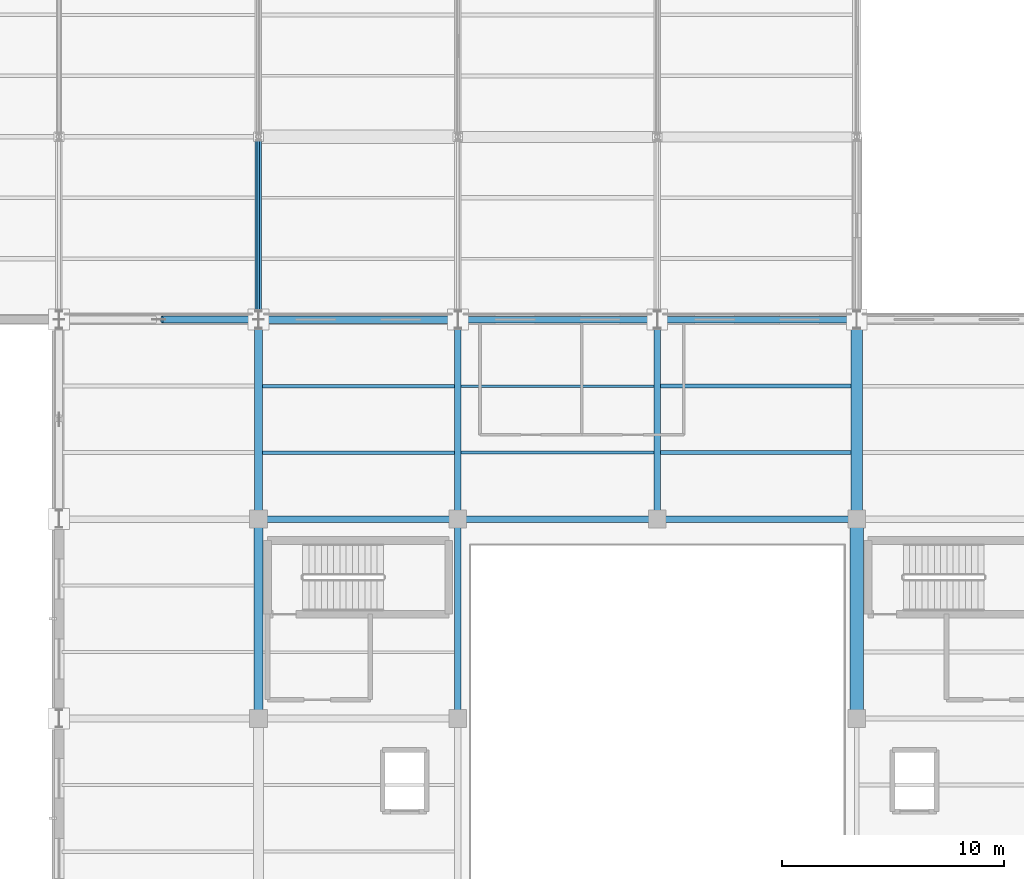
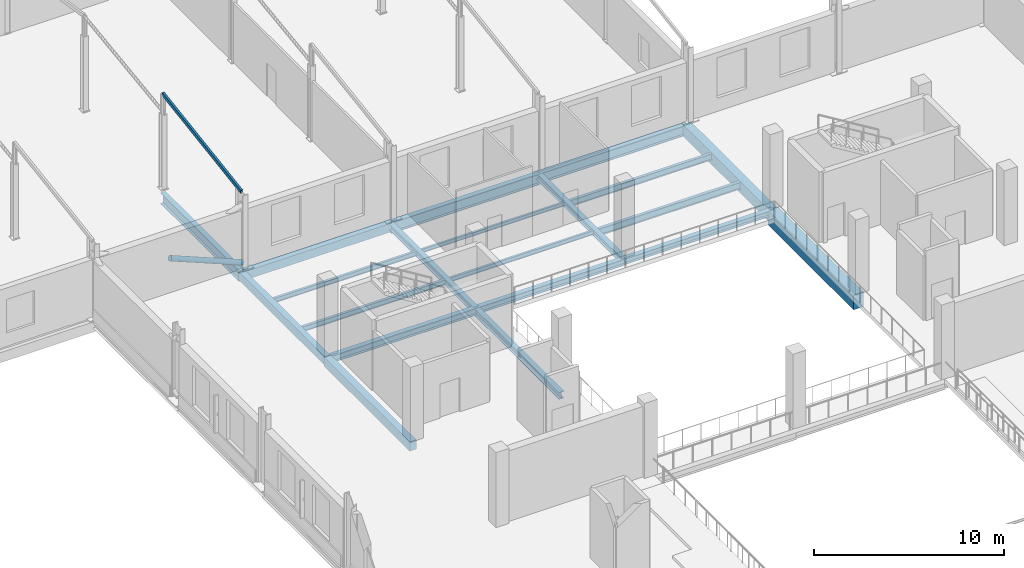
# One storey, part 14 of 54: 20 beams, 2 members.
"""IFC4 building model written with IfcOpenShell, lengths in metres."""

import ifcopenshell
import ifcopenshell.guid

model = None  # the IFC model being written
_history = None  # IfcOwnerHistory: only IFC2X3 demands one
_inside = {}  # id of a spatial element -> (the spatial element, [elements in it])
_under = {}  # id of a project, library or spatial element -> (it, [spatial elements below it])
_declared = {}  # id of a project -> (the project, [libraries it declares])
_typed = {}  # id of a type object -> (the type object, [elements of that type])
_made_of = {}  # id of a material, layer set ... -> (it, [elements and type objects made of it])


def new_model(schema):
    """Start an empty IFC model of exactly this schema.

    Asked for "IFC4X3", IfcOpenShell would pick the latest addendum, in which some entities
    have other attributes; the version numbers below select the first issue.
    IFC2X3 requires an IfcOwnerHistory on every rooted entity: one is made here for all.
    """
    global model, _history
    if schema == "IFC4X3":
        model = ifcopenshell.file(schema_version=(4, 3, 0, 0))
    else:
        model = ifcopenshell.file(schema=schema)
    _inside.clear()
    _under.clear()
    _declared.clear()
    _typed.clear()
    _made_of.clear()
    _history = None
    if model.schema == "IFC2X3":
        org = make("IfcOrganization", Name="unknown")
        user = make(
            "IfcPersonAndOrganization",
            ThePerson=make("IfcPerson", FamilyName="unknown"),
            TheOrganization=org,
        )
        app = make(
            "IfcApplication",
            ApplicationDeveloper=org,
            Version="unknown",
            ApplicationFullName="unknown",
            ApplicationIdentifier="unknown",
        )
        _history = make(
            "IfcOwnerHistory",
            OwningUser=user,
            OwningApplication=app,
            ChangeAction="ADDED",
            CreationDate=0,
        )
    return model


def make(cls, **values):
    """One entity of the class cls with the attributes given. An attribute that is None is left unset."""
    return model.create_entity(
        cls, **{name: value for name, value in values.items() if value is not None}
    )


def rooted(cls, **values):
    """An entity with a GlobalId (a new one), such as an element, a storey or a relation."""
    return make(cls, GlobalId=ifcopenshell.guid.new(), OwnerHistory=_history, **values)


def si_unit(unit_type, name, prefix=None):
    """IfcSIUnit, for example si_unit("LENGTHUNIT", "METRE", prefix="MILLI")."""
    return make("IfcSIUnit", UnitType=unit_type, Prefix=prefix, Name=name)


def assignment(units):
    """IfcUnitAssignment: the units of a project."""
    return None if units is None else make("IfcUnitAssignment", Units=units)


def point(xyz):
    """IfcCartesianPoint."""
    return None if xyz is None else make("IfcCartesianPoint", Coordinates=xyz)


def direction(xyz):
    """IfcDirection."""
    return None if xyz is None else make("IfcDirection", DirectionRatios=xyz)


def frame(location, z_axis=None, x_axis=None):
    """IfcAxis2Placement3D, a coordinate frame: its origin and axes. An axis left out is left unset."""
    return make(
        "IfcAxis2Placement3D",
        Location=point(location),
        Axis=direction(z_axis),
        RefDirection=direction(x_axis),
    )


def frame_2d(location, x_axis=None):
    """IfcAxis2Placement2D, a coordinate frame in the plane: its origin and x axis."""
    return make(
        "IfcAxis2Placement2D", Location=point(location), RefDirection=direction(x_axis)
    )


def origin():
    """The frame at (0, 0, 0) with its axes left unset."""
    return frame((0.0, 0.0, 0.0))


def origin_2d():
    """The frame at (0, 0) in the plane with its x axis left unset."""
    return frame_2d((0.0, 0.0))


def place(relative_to, where):
    """IfcLocalPlacement: puts the frame where relative to a parent placement (None: the world)."""
    return make(
        "IfcLocalPlacement", PlacementRelTo=relative_to, RelativePlacement=where
    )


def context(
    kind, dimensions, precision=None, world=None, true_north=None, identifier=None
):
    """IfcGeometricRepresentationContext, for example the 3D "Model" context."""
    return make(
        "IfcGeometricRepresentationContext",
        ContextIdentifier=identifier,
        ContextType=kind,
        CoordinateSpaceDimension=dimensions,
        Precision=precision,
        WorldCoordinateSystem=world,
        TrueNorth=true_north,
    )


def subcontext(parent, identifier, kind, view, scale=None):
    """IfcGeometricRepresentationSubContext, for example "Body" below "Model"."""
    return make(
        "IfcGeometricRepresentationSubContext",
        ContextIdentifier=identifier,
        ContextType=kind,
        ParentContext=parent,
        TargetScale=scale,
        TargetView=view,
    )


def project(units=None, contexts=None):
    """IfcProject with its units and contexts."""
    return rooted(
        "IfcProject",
        Name="project",
        RepresentationContexts=contexts,
        UnitsInContext=assignment(units),
    )


def spatial(cls, under=None, at=None, **own):
    """A site, building, storey or space (cls), placed at a placement, below another one or the project."""
    s = rooted(cls, ObjectPlacement=at, **own)
    if under is not None:
        _under.setdefault(under.id(), (under, []))[1].append(s)
    return s


def profile(cls, at=None, kind="AREA", **sizes):
    """A parametric profile (cls). Its sizes go by their IFC names, for example OverallWidth=200.0."""
    return make(cls, ProfileType=kind, Position=at, **sizes)


def rectangle(**sizes):
    """IfcRectangleProfileDef."""
    return profile("IfcRectangleProfileDef", **sizes)


def hollow_rectangle(**sizes):
    """IfcRectangleHollowProfileDef."""
    return profile("IfcRectangleHollowProfileDef", **sizes)


def hollow_circle(**sizes):
    """IfcCircleHollowProfileDef."""
    return profile("IfcCircleHollowProfileDef", **sizes)


def i_section(**sizes):
    """IfcIShapeProfileDef."""
    return profile("IfcIShapeProfileDef", **sizes)


def extrude(swept, where, along, depth):
    """IfcExtrudedAreaSolid: the profile swept, set in the frame where, extruded along a direction by depth."""
    return make(
        "IfcExtrudedAreaSolid",
        SweptArea=swept,
        Position=where,
        ExtrudedDirection=direction(along),
        Depth=depth,
    )


def shape(context_of_items, identifier, shape_type, items):
    """IfcShapeRepresentation: the items that make up one representation, for example the "Body"."""
    return make(
        "IfcShapeRepresentation",
        ContextOfItems=context_of_items,
        RepresentationIdentifier=identifier,
        RepresentationType=shape_type,
        Items=items,
    )


def material(Name=None, Category=None):
    """IfcMaterial."""
    return make("IfcMaterial", Name=Name, Category=Category)


def material_profile(
    of_material, cross_section, Name=None, Category=None, Priority=None
):
    """IfcMaterialProfile: a cross section and its material."""
    return make(
        "IfcMaterialProfile",
        Name=Name,
        Material=of_material,
        Profile=cross_section,
        Priority=Priority,
        Category=Category,
    )


def profile_set(profiles, Name=None, composite=None):
    """IfcMaterialProfileSet."""
    return make(
        "IfcMaterialProfileSet",
        Name=Name,
        MaterialProfiles=profiles,
        CompositeProfile=composite,
    )


def made_of(thing, what):
    """Note that an element or type object is made of a material, layer set ...; save() writes the relation."""
    if what is not None:
        _made_of.setdefault(what.id(), (what, []))[1].append(thing)
    return thing


def type_object(cls, material=None, **own):
    """A type object (cls), such as IfcWallType, which elements share."""
    return made_of(rooted(cls, **own), material)


def element(
    cls,
    number,
    at=None,
    inside=None,
    cuts=None,
    type_object=None,
    material=None,
    context=None,
    identifier="Body",
    shape_type=None,
    held_by="IfcProductDefinitionShape",
    body=None,
    shapes=None,
    **own,
):
    """One element of the class cls, such as IfcWall. Its Tag is "e" and its number.

    at: its placement. inside: the storey or other place that contains it. cuts: it is an
    opening in that element (IfcRelVoidsElement). A single representation is given by context,
    identifier, shape_type and body (its items); several are given by shapes. held_by: the class
    of the entity that holds the representations. save() writes the other relations.
    """
    e = rooted(cls, Tag="e%d" % number, ObjectPlacement=at, **own)
    if body is not None:
        shapes = [shape(context, identifier, shape_type, body)]
    if shapes is not None:
        e.Representation = make(held_by, Representations=shapes)
    if inside is not None:
        _inside.setdefault(inside.id(), (inside, []))[1].append(e)
    if cuts is not None:
        rooted(
            "IfcRelVoidsElement", RelatingBuildingElement=cuts, RelatedOpeningElement=e
        )
    if type_object is not None:
        _typed.setdefault(type_object.id(), (type_object, []))[1].append(e)
    return made_of(e, material)


def aggregate(whole, parts):
    """IfcRelAggregates: a whole, such as a stair, and the parts it consists of."""
    return rooted("IfcRelAggregates", RelatingObject=whole, RelatedObjects=parts)


def save(model, path):
    """Write the relations noted so far, then the file.

    IfcRelAggregates (storeys below a building ...), IfcRelContainedInSpatialStructure (elements
    in a storey), IfcRelDefinesByType, IfcRelAssociatesMaterial and IfcRelDeclares: one each for
    every whole, place, type object, material and project.
    """
    for whole, parts in _under.values():
        aggregate(whole, parts)
    for where, things in _inside.values():
        rooted(
            "IfcRelContainedInSpatialStructure",
            RelatedElements=things,
            RelatingStructure=where,
        )
    for kind, things in _typed.values():
        rooted("IfcRelDefinesByType", RelatedObjects=things, RelatingType=kind)
    for what, things in _made_of.values():
        rooted("IfcRelAssociatesMaterial", RelatedObjects=things, RelatingMaterial=what)
    for by, libraries in _declared.values():
        rooted("IfcRelDeclares", RelatingContext=by, RelatedDefinitions=libraries)
    model.write(path)


model = new_model("IFC4")

# Units and contexts
model_context = context("Model", 3, precision=1e-05, world=origin(), true_north=direction((0.0, 1.0)))
body_context = subcontext(model_context, "Body", "Model", "MODEL_VIEW")
ifc_project = project(units=[si_unit("LENGTHUNIT", "METRE"), si_unit("AREAUNIT", "SQUARE_METRE"), si_unit("VOLUMEUNIT", "CUBIC_METRE"), si_unit("PLANEANGLEUNIT", "RADIAN"), si_unit("MASSUNIT", "GRAM", prefix="KILO")], contexts=[model_context])

# Site, building, storey
site_placement = place(None, origin())
site = spatial("IfcSite", under=ifc_project, at=site_placement, CompositionType="ELEMENT")
building_placement = place(site_placement, origin())
building = spatial("IfcBuilding", under=site, at=building_placement, Name="Sundgate Opera House", CompositionType="ELEMENT")
storey_placement = place(building_placement, frame((0.0, 0.0, 16.800048828125)))
storey = spatial("IfcBuildingStorey", under=building, at=storey_placement, Name="L03", CompositionType="ELEMENT", Elevation=16.800048828125)

# Beams
ifc_material_1 = material(Name="Steel S355J2", Category="steel")
ifc_material_profile_1 = material_profile(ifc_material_1, i_section(OverallWidth=0.300048828125, OverallDepth=0.389892578125, WebThickness=0.010986328125, FlangeThickness=0.01904296875, at=origin_2d()), Name="HEA 400")
ifc_profile_set_1 = profile_set([ifc_material_profile_1], Name="Steel S355J2")
beam_type_1 = type_object("IfcBeamType", Name="BM-GR-HEA400", PredefinedType="BEAM", material=ifc_profile_set_1)
beam_1_placement = place(storey_placement, frame((54.0, 78.0, -0.47509765625), z_axis=(0.0, 1.0, 0.0), x_axis=(-1.0, 0.0, 0.0)))
element("IfcBeam", 1, at=beam_1_placement, inside=storey, type_object=beam_type_1, Name="L03 Primary N-S Girder B2488", PredefinedType="BEAM", context=body_context, shape_type="SweptSolid", body=[
    extrude(i_section(OverallWidth=0.300048828125, OverallDepth=0.389892578125, WebThickness=0.010986328125, FlangeThickness=0.01904296875, at=origin_2d()), origin(), (0.0, 0.0, 1.0), 9.0),
])
ifc_material_2 = material(Name="Steel S355J2", Category="steel")
ifc_material_profile_2 = material_profile(ifc_material_2, i_section(OverallWidth=0.300048828125, OverallDepth=0.360107421875, WebThickness=0.012451171875, FlangeThickness=0.0224609375, at=origin_2d()), Name="HEB 360")
ifc_profile_set_2 = profile_set([ifc_material_profile_2], Name="Steel S355J2")
beam_type_2 = type_object("IfcBeamType", Name="BM-GR-HEB360", PredefinedType="BEAM", material=ifc_profile_set_2)
beam_2_placement = place(storey_placement, frame((54.0, 78.0, -0.4599609375), z_axis=(1.0, 0.0, 0.0), x_axis=(0.0, 1.0, 0.0)))
element("IfcBeam", 2, at=beam_2_placement, inside=storey, type_object=beam_type_2, Name="L03 Primary E-W Girder B2638", PredefinedType="BEAM", context=body_context, shape_type="SweptSolid", body=[
    extrude(i_section(OverallWidth=0.300048828125, OverallDepth=0.360107421875, WebThickness=0.012451171875, FlangeThickness=0.0224609375, at=origin_2d()), origin(), (0.0, 0.0, 1.0), 9.0),
])
ifc_material_3 = material(Name="Steel S355J2", Category="steel")
ifc_material_profile_3 = material_profile(ifc_material_3, i_section(OverallWidth=0.300048828125, OverallDepth=0.39990234375, WebThickness=0.013427734375, FlangeThickness=0.02392578125, at=origin_2d()), Name="HEB 400")
ifc_profile_set_3 = profile_set([ifc_material_profile_3], Name="Steel S355J2")
beam_type_3 = type_object("IfcBeamType", Name="BM-GR-HEB400", PredefinedType="BEAM", material=ifc_profile_set_3)
for number, where, z_axis, x_axis, name in (
    (3, (45.0, 78.0, -0.47998046875), (0.0, 1.0, 0.0), (-1.0, 0.0, 0.0), "L03 Primary N-S Girder B2483"),
    (4, (45.0, 78.0, -0.47998046875), (1.0, 0.0, 0.0), (0.0, 1.0, 0.0), "L03 Primary E-W Girder B2637"),
):
    element("IfcBeam", number, at=place(storey_placement, frame(where, z_axis=z_axis, x_axis=x_axis)), inside=storey, type_object=beam_type_3, Name=name, PredefinedType="BEAM", context=body_context, shape_type="SweptSolid", body=[
        extrude(i_section(OverallWidth=0.300048828125, OverallDepth=0.39990234375, WebThickness=0.013427734375, FlangeThickness=0.02392578125, at=origin_2d()), origin(), (0.0, 0.0, 1.0), 9.0),
    ])
ifc_material_4 = material(Name="Steel S355J2", Category="steel")
ifc_material_profile_4 = material_profile(ifc_material_4, i_section(OverallWidth=0.300048828125, OverallDepth=0.449951171875, WebThickness=0.013916015625, FlangeThickness=0.02587890625, at=origin_2d()), Name="HEB 450")
ifc_profile_set_4 = profile_set([ifc_material_profile_4], Name="Steel S355J2")
beam_type_4 = type_object("IfcBeamType", Name="BM-GR-HEB450", PredefinedType="BEAM", material=ifc_profile_set_4)
for number, where, z_axis, x_axis, name in (
    (5, (45.0, 69.0, -0.505126953125), (0.0, 1.0, 0.0), (-1.0, 0.0, 0.0), "L03 Primary N-S Girder B2482"),
    (6, (36.0, 78.0, -0.505126953125), (1.0, 0.0, 0.0), (0.0, 1.0, 0.0), "L03 Primary E-W Girder B2636"),
):
    element("IfcBeam", number, at=place(storey_placement, frame(where, z_axis=z_axis, x_axis=x_axis)), inside=storey, type_object=beam_type_4, Name=name, PredefinedType="BEAM", context=body_context, shape_type="SweptSolid", body=[
        extrude(i_section(OverallWidth=0.300048828125, OverallDepth=0.449951171875, WebThickness=0.013916015625, FlangeThickness=0.02587890625, at=origin_2d()), origin(), (0.0, 0.0, 1.0), 9.0),
    ])
ifc_material_5 = material(Name="Steel S355J2", Category="steel")
ifc_material_profile_5 = material_profile(ifc_material_5, i_section(OverallWidth=0.300048828125, OverallDepth=0.64990234375, WebThickness=0.01611328125, FlangeThickness=0.031005859375, at=origin_2d()), Name="HEB 650")
ifc_profile_set_5 = profile_set([ifc_material_profile_5], Name="Steel S355J2")
beam_type_5 = type_object("IfcBeamType", Name="BM-GR-HEB650", PredefinedType="BEAM", material=ifc_profile_set_5)
beam_3_placement = place(storey_placement, frame((54.0, 87.0, -0.60498046875), z_axis=(1.0, 0.0, 0.0), x_axis=(0.0, 1.0, 0.0)))
element("IfcBeam", 7, at=beam_3_placement, inside=storey, type_object=beam_type_5, Name="L03 Primary E-W Girder B2654", PredefinedType="BEAM", context=body_context, shape_type="SweptSolid", body=[
    extrude(i_section(OverallWidth=0.300048828125, OverallDepth=0.64990234375, WebThickness=0.01611328125, FlangeThickness=0.031005859375, at=origin_2d()), origin(), (0.0, 0.0, 1.0), 9.0),
])
ifc_material_6 = material(Name="Steel S355J2", Category="steel")
ifc_material_profile_6 = material_profile(ifc_material_6, i_section(OverallWidth=0.300048828125, OverallDepth=0.699951171875, WebThickness=0.01708984375, FlangeThickness=0.031982421875, at=origin_2d()), Name="HEB 700")
ifc_profile_set_6 = profile_set([ifc_material_profile_6], Name="Steel S355J2")
beam_type_6 = type_object("IfcBeamType", Name="BM-GR-HEB700", PredefinedType="BEAM", material=ifc_profile_set_6)
beam_4_placement = place(storey_placement, frame((36.0, 87.0, -0.590087890625), z_axis=(0.0, 1.0, 0.0), x_axis=(-1.0, 0.0, 0.0)))
element("IfcBeam", 8, at=beam_4_placement, inside=storey, type_object=beam_type_6, Name="L03 Primary N-S Girder B2477", PredefinedType="BEAM", context=body_context, shape_type="SweptSolid", body=[
    extrude(i_section(OverallWidth=0.300048828125, OverallDepth=0.699951171875, WebThickness=0.01708984375, FlangeThickness=0.031982421875, at=origin_2d()), origin(), (0.0, 0.0, 1.0), 8.25),
])
beam_5_placement = place(storey_placement, frame((45.0, 87.0, -0.630126953125), z_axis=(1.0, 0.0, 0.0), x_axis=(0.0, 1.0, 0.0)))
element("IfcBeam", 9, at=beam_5_placement, inside=storey, type_object=beam_type_6, Name="L03 Primary E-W Girder B2653", PredefinedType="BEAM", context=body_context, shape_type="SweptSolid", body=[
    extrude(i_section(OverallWidth=0.300048828125, OverallDepth=0.699951171875, WebThickness=0.01708984375, FlangeThickness=0.031982421875, at=origin_2d()), origin(), (0.0, 0.0, 1.0), 9.0),
])
ifc_material_7 = material(Name="Steel S355J2", Category="steel")
ifc_material_profile_7 = material_profile(ifc_material_7, i_section(OverallWidth=0.1201171875, OverallDepth=0.239990234375, WebThickness=0.006103515625, FlangeThickness=0.009765625, at=origin_2d()), Name="IPE 240")
ifc_profile_set_7 = profile_set([ifc_material_profile_7], Name="Steel S355J2")
beam_type_7 = type_object("IfcBeamType", Name="BM-JS-IPE240", PredefinedType="JOIST", material=ifc_profile_set_7)
beam_6_placement = place(storey_placement, frame((45.14990234375, 84.0, -0.400146484375), z_axis=(1.0, 0.0, 0.0), x_axis=(0.0, 1.0, 0.0)))
element("IfcBeam", 10, at=beam_6_placement, inside=storey, type_object=beam_type_7, Name="L03 Secondary Floor Joist B2789", PredefinedType="JOIST", context=body_context, shape_type="SweptSolid", body=[
    extrude(i_section(OverallWidth=0.1201171875, OverallDepth=0.239990234375, WebThickness=0.006103515625, FlangeThickness=0.009765625, at=origin_2d()), origin(), (0.0, 0.0, 1.0), 8.7001953125),
])
ifc_material_8 = material(Name="Steel S355J2", Category="steel")
ifc_material_profile_8 = material_profile(ifc_material_8, i_section(OverallWidth=0.135009765625, OverallDepth=0.27001953125, WebThickness=0.006591796875, FlangeThickness=0.01025390625, at=origin_2d()), Name="IPE 270")
ifc_profile_set_8 = profile_set([ifc_material_profile_8], Name="Steel S355J2")
beam_type_8 = type_object("IfcBeamType", Name="BM-JS-IPE270", PredefinedType="JOIST", material=ifc_profile_set_8)
beam_7_placement = place(storey_placement, frame((45.14990234375, 81.0, -0.4150390625), z_axis=(1.0, 0.0, 0.0), x_axis=(0.0, 1.0, 0.0)))
element("IfcBeam", 11, at=beam_7_placement, inside=storey, type_object=beam_type_8, Name="L03 Secondary Floor Joist B2788", PredefinedType="JOIST", context=body_context, shape_type="SweptSolid", body=[
    extrude(i_section(OverallWidth=0.135009765625, OverallDepth=0.27001953125, WebThickness=0.006591796875, FlangeThickness=0.01025390625, at=origin_2d()), origin(), (0.0, 0.0, 1.0), 8.7001953125),
])
ifc_material_9 = material(Name="Steel S355J2", Category="steel")
ifc_material_profile_9 = material_profile(ifc_material_9, i_section(OverallWidth=0.14990234375, OverallDepth=0.300048828125, WebThickness=0.007080078125, FlangeThickness=0.0107421875, at=origin_2d()), Name="IPE 300")
ifc_profile_set_9 = profile_set([ifc_material_profile_9], Name="Steel S355J2")
beam_type_9 = type_object("IfcBeamType", Name="BM-JS-IPE300", PredefinedType="JOIST", material=ifc_profile_set_9)
beam_8_placement = place(storey_placement, frame((36.175048828125, 84.0, -0.429931640625), z_axis=(1.0, 0.0, 0.0), x_axis=(0.0, 1.0, 0.0)))
element("IfcBeam", 12, at=beam_8_placement, inside=storey, type_object=beam_type_9, Name="L03 Secondary Floor Joist B2787", PredefinedType="JOIST", context=body_context, shape_type="SweptSolid", body=[
    extrude(i_section(OverallWidth=0.14990234375, OverallDepth=0.300048828125, WebThickness=0.007080078125, FlangeThickness=0.0107421875, at=origin_2d()), origin(), (0.0, 0.0, 1.0), 8.675048828125),
])
ifc_material_10 = material(Name="Steel S355J2", Category="steel")
ifc_material_profile_10 = material_profile(ifc_material_10, i_section(OverallWidth=0.159912109375, OverallDepth=0.330078125, WebThickness=0.007568359375, FlangeThickness=0.011474609375, at=origin_2d()), Name="IPE 330")
ifc_profile_set_10 = profile_set([ifc_material_profile_10], Name="Steel S355J2")
beam_type_10 = type_object("IfcBeamType", Name="BM-JS-IPE330", PredefinedType="JOIST", material=ifc_profile_set_10)
beam_9_placement = place(storey_placement, frame((36.175048828125, 81.0, -0.445068359375), z_axis=(1.0, 0.0, 0.0), x_axis=(0.0, 1.0, 0.0)))
element("IfcBeam", 13, at=beam_9_placement, inside=storey, type_object=beam_type_10, Name="L03 Secondary Floor Joist B2786", PredefinedType="JOIST", context=body_context, shape_type="SweptSolid", body=[
    extrude(i_section(OverallWidth=0.159912109375, OverallDepth=0.330078125, WebThickness=0.007568359375, FlangeThickness=0.011474609375, at=origin_2d()), origin(), (0.0, 0.0, 1.0), 8.675048828125),
])
ifc_material_11 = material(Name="Steel S355J2", Category="steel")
ifc_material_profile_11 = material_profile(ifc_material_11, i_section(OverallWidth=0.179931640625, OverallDepth=0.39990234375, WebThickness=0.008544921875, FlangeThickness=0.013427734375, at=origin_2d()), Name="IPE 400")
ifc_profile_set_11 = profile_set([ifc_material_profile_11], Name="Steel S355J2")
beam_type_11 = type_object("IfcBeamType", Name="BM-JS-IPE400", PredefinedType="JOIST", material=ifc_profile_set_11)
beam_10_placement = place(storey_placement, frame((54.14990234375, 84.0, -0.47998046875), z_axis=(1.0, 0.0, 0.0), x_axis=(0.0, 1.0, 0.0)))
element("IfcBeam", 14, at=beam_10_placement, inside=storey, type_object=beam_type_11, Name="L03 Secondary Floor Joist B2791", PredefinedType="JOIST", context=body_context, shape_type="SweptSolid", body=[
    extrude(i_section(OverallWidth=0.179931640625, OverallDepth=0.39990234375, WebThickness=0.008544921875, FlangeThickness=0.013427734375, at=origin_2d()), origin(), (0.0, 0.0, 1.0), 8.60009765625),
])
ifc_material_12 = material(Name="Steel S355J2", Category="steel")
ifc_material_profile_12 = material_profile(ifc_material_12, i_section(OverallWidth=0.18994140625, OverallDepth=0.449951171875, WebThickness=0.009521484375, FlangeThickness=0.0146484375, at=origin_2d()), Name="IPE 450")
ifc_profile_set_12 = profile_set([ifc_material_profile_12], Name="Steel S355J2")
beam_type_12 = type_object("IfcBeamType", Name="BM-JS-IPE450", PredefinedType="JOIST", material=ifc_profile_set_12)
beam_11_placement = place(storey_placement, frame((54.14990234375, 81.0, -0.505126953125), z_axis=(1.0, 0.0, 0.0), x_axis=(0.0, 1.0, 0.0)))
element("IfcBeam", 15, at=beam_11_placement, inside=storey, type_object=beam_type_12, Name="L03 Secondary Floor Joist B2790", PredefinedType="JOIST", context=body_context, shape_type="SweptSolid", body=[
    extrude(i_section(OverallWidth=0.18994140625, OverallDepth=0.449951171875, WebThickness=0.009521484375, FlangeThickness=0.0146484375, at=origin_2d()), origin(), (0.0, 0.0, 1.0), 8.60009765625),
])
ifc_material_13 = material(Name="Concrete C35/45", Category="concrete")
ifc_material_profile_13 = material_profile(ifc_material_13, rectangle(XDim=0.35009765625, YDim=0.550048828125, at=origin_2d()), Name="RC 350x550")
ifc_profile_set_13 = profile_set([ifc_material_profile_13], Name="Concrete C35/45")
beam_type_13 = type_object("IfcBeamType", Name="BM-RC-350x550", PredefinedType="BEAM", material=ifc_profile_set_13)
for number, where, z_axis, x_axis, name in (
    (16, (36.0, 78.0, -0.554931640625), (0.0, 1.0, 0.0), (-1.0, 0.0, 0.0), "L03 Primary N-S Girder B2476"),
    (17, (36.0, 87.0, -0.554931640625), (1.0, 0.0, 0.0), (0.0, 1.0, 0.0), "L03 Primary E-W Girder B2652"),
):
    element("IfcBeam", number, at=place(storey_placement, frame(where, z_axis=z_axis, x_axis=x_axis)), inside=storey, type_object=beam_type_13, Name=name, PredefinedType="BEAM", context=body_context, shape_type="SweptSolid", body=[
        extrude(rectangle(XDim=0.35009765625, YDim=0.550048828125, at=origin_2d()), origin(), (0.0, 0.0, 1.0), 9.0),
    ])
ifc_material_14 = material(Name="Concrete C35/45", Category="concrete")
ifc_material_profile_14 = material_profile(ifc_material_14, rectangle(XDim=0.39990234375, YDim=0.60009765625, at=origin_2d()), Name="RC 400x600")
ifc_profile_set_14 = profile_set([ifc_material_profile_14], Name="Concrete C35/45")
beam_type_14 = type_object("IfcBeamType", Name="BM-RC-400x600", PredefinedType="BEAM", material=ifc_profile_set_14)
beam_12_placement = place(storey_placement, frame((36.0, 69.0, -0.580078125), z_axis=(0.0, 1.0, 0.0), x_axis=(-1.0, 0.0, 0.0)))
element("IfcBeam", 18, at=beam_12_placement, inside=storey, type_object=beam_type_14, Name="L03 Primary N-S Girder B2475", PredefinedType="BEAM", context=body_context, shape_type="SweptSolid", body=[
    extrude(rectangle(XDim=0.39990234375, YDim=0.60009765625, at=origin_2d()), origin(), (0.0, 0.0, 1.0), 9.0),
])
ifc_material_15 = material(Name="Concrete C40/50", Category="concrete")
ifc_material_profile_15 = material_profile(ifc_material_15, rectangle(XDim=0.5, YDim=0.75, at=origin_2d()), Name="RC 500x750")
ifc_profile_set_15 = profile_set([ifc_material_profile_15], Name="Concrete C40/50")
beam_type_15 = type_object("IfcBeamType", Name="BM-RC-500x750", PredefinedType="BEAM", material=ifc_profile_set_15)
beam_13_placement = place(storey_placement, frame((63.0, 78.0, -0.655029296875), z_axis=(0.0, 1.0, 0.0), x_axis=(-1.0, 0.0, 0.0)))
element("IfcBeam", 19, at=beam_13_placement, inside=storey, type_object=beam_type_15, Name="L03 Primary N-S Girder B2495", PredefinedType="BEAM", context=body_context, shape_type="SweptSolid", body=[
    extrude(rectangle(XDim=0.5, YDim=0.75, at=origin_2d()), origin(), (0.0, 0.0, 1.0), 9.0),
])
ifc_material_16 = material(Name="Concrete C40/50", Category="concrete")
ifc_material_profile_16 = material_profile(ifc_material_16, rectangle(XDim=0.60009765625, YDim=0.949951171875, at=origin_2d()), Name="RC 600x950")
ifc_profile_set_16 = profile_set([ifc_material_profile_16], Name="Concrete C40/50")
beam_type_16 = type_object("IfcBeamType", Name="BM-RC-600x950", PredefinedType="BEAM", material=ifc_profile_set_16)
beam_14_placement = place(storey_placement, frame((63.0, 69.0, -0.755126953125), z_axis=(0.0, 1.0, 0.0), x_axis=(-1.0, 0.0, 0.0)))
element("IfcBeam", 20, at=beam_14_placement, inside=storey, type_object=beam_type_16, Name="L03 Primary N-S Girder B2494", PredefinedType="BEAM", context=body_context, shape_type="SweptSolid", body=[
    extrude(rectangle(XDim=0.60009765625, YDim=0.949951171875, at=origin_2d()), origin(), (0.0, 0.0, 1.0), 9.0),
])

# Members
ifc_material_17 = material(Name="Steel S355J2", Category="steel")
ifc_material_profile_17 = material_profile(ifc_material_17, hollow_circle(Radius=0.161865234375, WallThickness=0.01611328125, at=origin_2d()), Name="CHS 323.9x16.0")
ifc_profile_set_17 = profile_set([ifc_material_profile_17], Name="Steel S355J2")
member_type_1 = type_object("IfcMemberType", Name="MB-BRC-CHS324", PredefinedType="BRACE", material=ifc_profile_set_17)
member_1_placement = place(storey_placement, frame((36.0, 87.0, 0.25), z_axis=(-0.924899297094, 0.0, 0.380212164765), x_axis=(0.0, -1.0, 0.0)))
element("IfcMember", 21, at=member_1_placement, inside=storey, type_object=member_type_1, Name="L03 Belt-Truss Lower Half Diagonal M0022", PredefinedType="BRACE", context=body_context, shape_type="SweptSolid", body=[
    extrude(hollow_circle(Radius=0.161865234375, WallThickness=0.01611328125, at=origin_2d()), origin(), (0.0, 0.0, 1.0), 4.705322265625),
])
ifc_material_18 = material(Name="Steel S355J2", Category="steel")
ifc_material_profile_18 = material_profile(ifc_material_18, hollow_rectangle(XDim=0.1201171875, YDim=0.219970703125, WallThickness=0.010009765625, at=origin_2d()), Name="RHS 220x120x10.0")
ifc_profile_set_18 = profile_set([ifc_material_profile_18], Name="Steel S355J2")
member_type_2 = type_object("IfcMemberType", Name="MB-CHORD-RHS220", PredefinedType="CHORD", material=ifc_profile_set_18)
member_2_placement = place(storey_placement, frame((36.0, 87.0, 4.780029296875), z_axis=(0.0, 0.988357491869, 0.152149493155), x_axis=(-1.0, 0.0, 0.0)))
element("IfcMember", 22, at=member_2_placement, inside=storey, type_object=member_type_2, Name="Atelier Roof Rafter M0479", PredefinedType="CHORD", context=body_context, shape_type="SweptSolid", body=[
    extrude(hollow_rectangle(XDim=0.1201171875, YDim=0.219970703125, WallThickness=0.010009765625, at=origin_2d()), origin(), (0.0, 0.0, 1.0), 8.34716796875),
])

save(model, "model.ifc")
